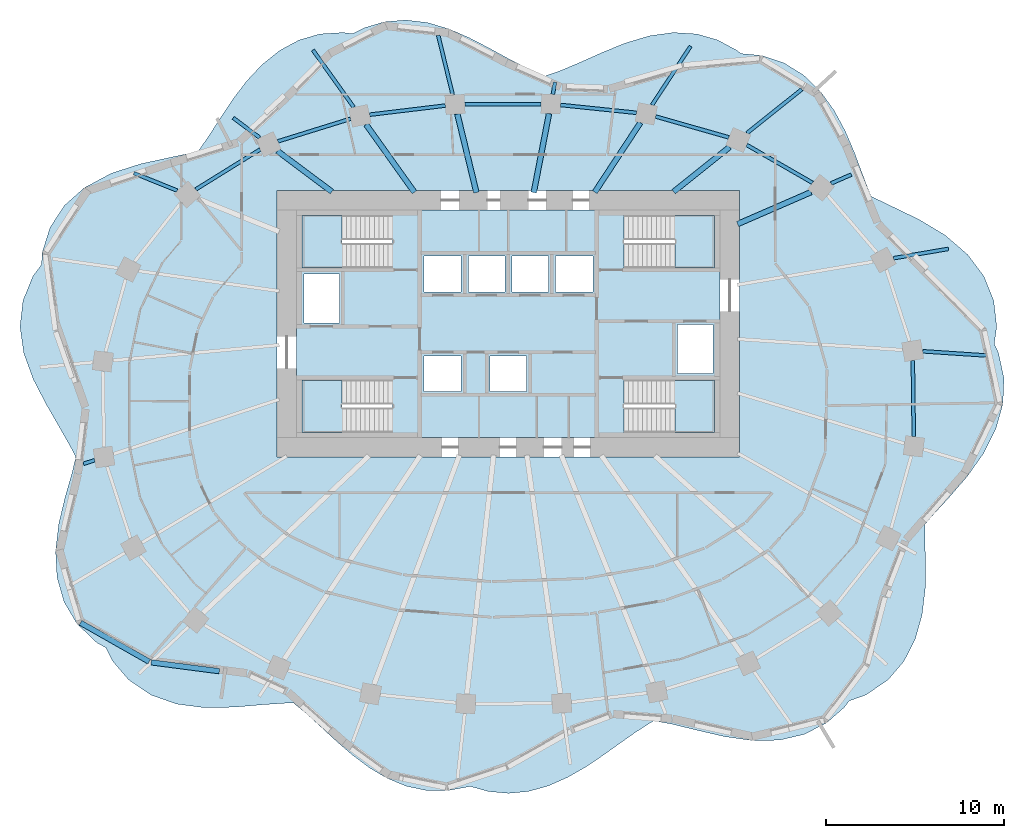
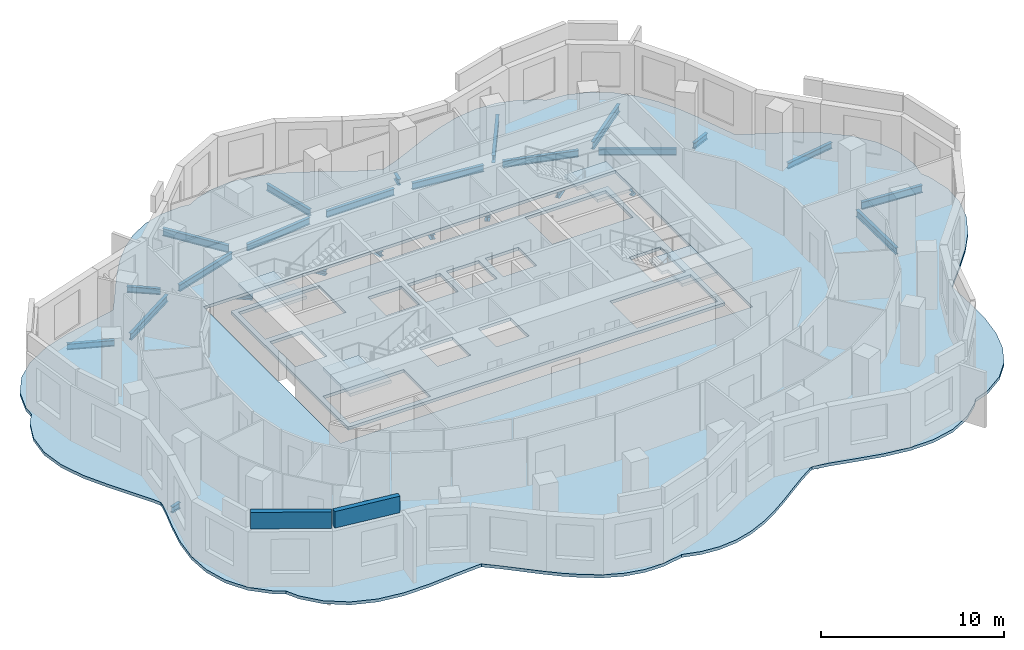
# One storey, part 2 of 10: 26 beams, 6 slabs, 2 walls, 4 elements without a shape of their own.
"""IFC4 building model written with IfcOpenShell, lengths in metres."""

from ifc_helpers import new_model, si_unit, direction, frame, frame_2d, origin, origin_2d, place, context, subcontext, project, spatial, polyline, rectangle, i_section, outline, extrude, material, layer, layer_set, material_profile, profile_set, type_object, element, aggregate, save


model = new_model("IFC4")

# Units and contexts
model_context = context("Model", 3, precision=1e-05, world=origin(), true_north=direction((0.0, 1.0)))
body_context = subcontext(model_context, "Body", "Model", "MODEL_VIEW")
ifc_project = project(units=[si_unit("LENGTHUNIT", "METRE"), si_unit("AREAUNIT", "SQUARE_METRE"), si_unit("VOLUMEUNIT", "CUBIC_METRE"), si_unit("PLANEANGLEUNIT", "RADIAN"), si_unit("MASSUNIT", "GRAM", prefix="KILO")], contexts=[model_context])

# Site, building, storey
site_placement = place(None, origin())
site = spatial("IfcSite", under=ifc_project, at=site_placement, CompositionType="ELEMENT")
building_placement = place(site_placement, origin())
building = spatial("IfcBuilding", under=site, at=building_placement, Name="Rubra Terraces Tower", CompositionType="ELEMENT")
storey_placement = place(building_placement, frame((0.0, 0.0, 161.699951171875)))
storey = spatial("IfcBuildingStorey", under=building, at=storey_placement, Name="L39", CompositionType="ELEMENT", Elevation=161.699951171875)

# Beams
ifc_material_1 = material(Name="Steel Q355B", Category="steel")
ifc_material_profile_1 = material_profile(ifc_material_1, i_section(OverallWidth=0.199951171875, OverallDepth=0.39990234375, WebThickness=0.008056640625, FlangeThickness=0.012939453125, at=origin_2d()), Name="HN 400x200x8x13")
ifc_profile_set_1 = profile_set([ifc_material_profile_1], Name="Steel Q355B")
beam_type_1 = type_object("IfcBeamType", Name="CANTILEVER BEAM HN 400x200x8x13", PredefinedType="BEAM", material=ifc_profile_set_1)
beam_1_placement = place(storey_placement, frame((21.656982421875, 8.18798828125, -0.39990234375), z_axis=(0.98579564876, 0.167949215201, 0.0), x_axis=(-0.167949215201, 0.98579564876, 0.0)))
element("IfcBeam", 1, at=beam_1_placement, inside=storey, type_object=beam_type_1, Name="beam-L39-cant-02", PredefinedType="BEAM", context=body_context, shape_type="SweptSolid", body=[
    extrude(i_section(OverallWidth=0.199951171875, OverallDepth=0.39990234375, WebThickness=0.008056640625, FlangeThickness=0.012939453125, at=origin_2d()), origin(), (0.0, 0.0, 1.0), 3.132568359375),
])
beam_2_placement = place(storey_placement, frame((-13.989013671875, 14.971923828125, -0.39990234375), z_axis=(-0.800601038067, 0.599197778573, 0.0), x_axis=(-0.599197778573, -0.800601038067, 0.0)))
element("IfcBeam", 2, at=beam_2_placement, inside=storey, type_object=beam_type_1, Name="beam-L39-cant-09", PredefinedType="BEAM", context=body_context, shape_type="SweptSolid", body=[
    extrude(i_section(OverallWidth=0.199951171875, OverallDepth=0.39990234375, WebThickness=0.008056640625, FlangeThickness=0.012939453125, at=origin_2d()), origin(), (0.0, 0.0, 1.0), 1.85107421875),
])
beam_3_placement = place(storey_placement, frame((-18.6201171875, 11.991943359375, -0.39990234375), z_axis=(-0.927756111686, 0.373187080737, 0.0), x_axis=(-0.373187080737, -0.927756111686, 0.0)))
element("IfcBeam", 3, at=beam_3_placement, inside=storey, type_object=beam_type_1, Name="beam-L39-cant-10", PredefinedType="BEAM", context=body_context, shape_type="SweptSolid", body=[
    extrude(i_section(OverallWidth=0.199951171875, OverallDepth=0.39990234375, WebThickness=0.008056640625, FlangeThickness=0.012939453125, at=origin_2d()), origin(), (0.0, 0.0, 1.0), 2.623291015625),
])
ifc_material_profile_2 = material_profile(ifc_material_1, i_section(OverallWidth=0.198974609375, OverallDepth=0.446044921875, WebThickness=0.008056640625, FlangeThickness=0.011962890625, at=origin_2d()), Name="HN 446x199x8x12")
ifc_profile_set_2 = profile_set([ifc_material_profile_2], Name="Steel Q355B")
beam_type_2 = type_object("IfcBeamType", Name="CANTILEVER BEAM HN 446x199x8x12", PredefinedType="BEAM", material=ifc_profile_set_2)
beam_4_placement = place(storey_placement, frame((-3.131103515625, 17.37890625, -0.4228515625), z_axis=(-0.236295379776, 0.971681271558, 0.0), x_axis=(-0.971681271558, -0.236295379776, 0.0)))
element("IfcBeam", 4, at=beam_4_placement, inside=storey, type_object=beam_type_2, Name="beam-L39-cant-07", PredefinedType="BEAM", context=body_context, shape_type="SweptSolid", body=[
    extrude(i_section(OverallWidth=0.198974609375, OverallDepth=0.446044921875, WebThickness=0.008056640625, FlangeThickness=0.011962890625, at=origin_2d()), origin(), (0.0, 0.0, 1.0), 3.4365234375),
])
ifc_material_profile_3 = material_profile(ifc_material_1, i_section(OverallWidth=0.198974609375, OverallDepth=0.49609375, WebThickness=0.009033203125, FlangeThickness=0.013916015625, at=origin_2d()), Name="HN 496x199x9x14")
ifc_profile_set_3 = profile_set([ifc_material_profile_3], Name="Steel Q355B")
beam_type_3 = type_object("IfcBeamType", Name="CANTILEVER BEAM HN 496x199x9x14", PredefinedType="BEAM", material=ifc_profile_set_3)
beam_5_placement = place(storey_placement, frame((23.298095703125, 2.9560546875, -0.447998046875), z_axis=(0.99779881822, -0.066313787088, 0.0), x_axis=(0.066313787088, 0.99779881822, 0.0)))
element("IfcBeam", 5, at=beam_5_placement, inside=storey, type_object=beam_type_3, Name="beam-L39-cant-01", PredefinedType="BEAM", context=body_context, shape_type="SweptSolid", body=[
    extrude(i_section(OverallWidth=0.198974609375, OverallDepth=0.49609375, WebThickness=0.009033203125, FlangeThickness=0.013916015625, at=origin_2d()), origin(), (0.0, 0.0, 1.0), 3.7109375),
])
beam_6_placement = place(storey_placement, frame((13.416015625, 15.222900390625, -0.447998046875), z_axis=(0.781103955528, 0.624401001487, 0.0), x_axis=(-0.624401001487, 0.781103955528, 0.0)))
element("IfcBeam", 6, at=beam_6_placement, inside=storey, type_object=beam_type_3, Name="beam-L39-cant-04", PredefinedType="BEAM", context=body_context, shape_type="SweptSolid", body=[
    extrude(i_section(OverallWidth=0.198974609375, OverallDepth=0.49609375, WebThickness=0.009033203125, FlangeThickness=0.013916015625, at=origin_2d()), origin(), (0.0, 0.0, 1.0), 3.949462890625),
])
for number, where, z_axis, x_axis, name in (
    (7, (8.076904296875, 16.803955078125, -0.447998046875), (0.548881869255, 0.835899930376, 0.0), (-0.835899930376, 0.548881869255, 0.0), "beam-L39-cant-05"),
    (8, (-8.695068359375, 16.679931640625, -0.447998046875), (-0.580975070834, 0.813921351895, 0.0), (-0.813921351895, -0.580975070834, 0.0), "beam-L39-cant-08"),
):
    element("IfcBeam", number, at=place(storey_placement, frame(where, z_axis=z_axis, x_axis=x_axis)), inside=storey, type_object=beam_type_3, Name=name, PredefinedType="BEAM", context=body_context, shape_type="SweptSolid", body=[
        extrude(i_section(OverallWidth=0.198974609375, OverallDepth=0.49609375, WebThickness=0.009033203125, FlangeThickness=0.013916015625, at=origin_2d()), origin(), (0.0, 0.0, 1.0), 3.9501953125),
    ])
ifc_material_profile_4 = material_profile(ifc_material_1, i_section(OverallWidth=0.199951171875, OverallDepth=0.39990234375, WebThickness=0.008056640625, FlangeThickness=0.012939453125, at=origin_2d()), Name="HN 400x200x8x13")
ifc_profile_set_4 = profile_set([ifc_material_profile_4], Name="Steel Q355B")
beam_type_4 = type_object("IfcBeamType", Name="CANTILEVER STUB HN 400x200x8x13", PredefinedType="BEAM", material=ifc_profile_set_4)
beam_7_placement = place(storey_placement, frame((18.14990234375, 12.39697265625, -0.39990234375), z_axis=(0.916859313089, 0.399210470806, 0.0), x_axis=(-0.399210470806, 0.916859313089, 0.0)))
element("IfcBeam", 9, at=beam_7_placement, inside=storey, type_object=beam_type_4, Name="beam-L39-cant-03", PredefinedType="BEAM", context=body_context, shape_type="SweptSolid", body=[
    extrude(i_section(OverallWidth=0.199951171875, OverallDepth=0.39990234375, WebThickness=0.008056640625, FlangeThickness=0.012939453125, at=origin_2d()), origin(), (0.0, 0.0, 1.0), 1.234619140625),
])
beam_8_placement = place(storey_placement, frame((2.498046875, 17.406982421875, -0.39990234375), z_axis=(0.188939599995, 0.981988710502, 0.0), x_axis=(-0.981988710502, 0.188939599995, 0.0)))
element("IfcBeam", 10, at=beam_8_placement, inside=storey, type_object=beam_type_4, Name="beam-L39-cant-06", PredefinedType="BEAM", context=body_context, shape_type="SweptSolid", body=[
    extrude(i_section(OverallWidth=0.199951171875, OverallDepth=0.39990234375, WebThickness=0.008056640625, FlangeThickness=0.012939453125, at=origin_2d()), origin(), (0.0, 0.0, 1.0), 0.6875),
])
beam_9_placement = place(storey_placement, frame((-23.262939453125, -3.1669921875, -0.39990234375), z_axis=(-0.949571143222, -0.313551660751, 0.0), x_axis=(0.313551660751, -0.949571143222, 0.0)))
element("IfcBeam", 11, at=beam_9_placement, inside=storey, type_object=beam_type_4, Name="beam-L39-cant-13", PredefinedType="BEAM", context=body_context, shape_type="SweptSolid", body=[
    extrude(i_section(OverallWidth=0.199951171875, OverallDepth=0.39990234375, WebThickness=0.008056640625, FlangeThickness=0.012939453125, at=origin_2d()), origin(), (0.0, 0.0, 1.0), 0.6572265625),
])
ifc_material_profile_5 = material_profile(ifc_material_1, i_section(OverallWidth=0.304931640625, OverallDepth=0.300048828125, WebThickness=0.014892578125, FlangeThickness=0.014892578125, at=origin_2d()), Name="HW 300x305x15x15")
ifc_profile_set_5 = profile_set([ifc_material_profile_5], Name="Steel Q355B")
beam_type_5 = type_object("IfcBeamType", Name="FLOOR BEAM HW 300x305x15x15", PredefinedType="BEAM", material=ifc_profile_set_5)
beam_10_placement = place(storey_placement, frame((17.01806640625, 11.905029296875, -0.349853515625), z_axis=(-0.916965704309, -0.398966035047, 0.0), x_axis=(0.398966035047, -0.916965704309, 0.0)))
element("IfcBeam", 12, at=beam_10_placement, inside=storey, type_object=beam_type_5, Name="beam-L39-floor-03", PredefinedType="BEAM", context=body_context, shape_type="SweptSolid", body=[
    extrude(i_section(OverallWidth=0.304931640625, OverallDepth=0.300048828125, WebThickness=0.014892578125, FlangeThickness=0.014892578125, at=origin_2d()), origin(), (0.0, 0.0, 1.0), 4.501953125),
])
beam_11_placement = place(storey_placement, frame((12.43798828125, 14.44091796875, -0.349853515625), z_axis=(-0.781170160898, -0.624318171867, 0.0), x_axis=(0.624318171867, -0.781170160898, 0.0)))
element("IfcBeam", 13, at=beam_11_placement, inside=storey, type_object=beam_type_5, Name="beam-L39-floor-04", PredefinedType="BEAM", context=body_context, shape_type="SweptSolid", body=[
    extrude(i_section(OverallWidth=0.304931640625, OverallDepth=0.300048828125, WebThickness=0.014892578125, FlangeThickness=0.014892578125, at=origin_2d()), origin(), (0.0, 0.0, 1.0), 4.02978515625),
])
beam_12_placement = place(storey_placement, frame((7.425048828125, 15.81005859375, -0.349853515625), z_axis=(-0.548820601732, -0.835940157616, 0.0), x_axis=(0.835940157616, -0.548820601732, 0.0)))
element("IfcBeam", 14, at=beam_12_placement, inside=storey, type_object=beam_type_5, Name="beam-L39-floor-05", PredefinedType="BEAM", context=body_context, shape_type="SweptSolid", body=[
    extrude(i_section(OverallWidth=0.304931640625, OverallDepth=0.300048828125, WebThickness=0.014892578125, FlangeThickness=0.014892578125, at=origin_2d()), origin(), (0.0, 0.0, 1.0), 4.677490234375),
])
beam_13_placement = place(storey_placement, frame((2.285888671875, 16.31689453125, -0.349853515625), z_axis=(-0.189927794489, -0.981798061151, 0.0), x_axis=(0.981798061151, -0.189927794489, 0.0)))
element("IfcBeam", 15, at=beam_13_placement, inside=storey, type_object=beam_type_5, Name="beam-L39-floor-06", PredefinedType="BEAM", context=body_context, shape_type="SweptSolid", body=[
    extrude(i_section(OverallWidth=0.304931640625, OverallDepth=0.300048828125, WebThickness=0.014892578125, FlangeThickness=0.014892578125, at=origin_2d()), origin(), (0.0, 0.0, 1.0), 4.51708984375),
])
beam_14_placement = place(storey_placement, frame((-2.866943359375, 16.29296875, -0.349853515625), z_axis=(0.236214306521, -0.971700983531, 0.0), x_axis=(0.971700983531, 0.236214306521, 0.0)))
element("IfcBeam", 16, at=beam_14_placement, inside=storey, type_object=beam_type_5, Name="beam-L39-floor-07", PredefinedType="BEAM", context=body_context, shape_type="SweptSolid", body=[
    extrude(i_section(OverallWidth=0.304931640625, OverallDepth=0.300048828125, WebThickness=0.014892578125, FlangeThickness=0.014892578125, at=origin_2d()), origin(), (0.0, 0.0, 1.0), 4.538330078125),
])
beam_15_placement = place(storey_placement, frame((-7.9990234375, 15.7041015625, -0.349853515625), z_axis=(0.581010755177, -0.813895879317, 0.0), x_axis=(0.813895879317, 0.581010755177, 0.0)))
element("IfcBeam", 17, at=beam_15_placement, inside=storey, type_object=beam_type_5, Name="beam-L39-floor-08", PredefinedType="BEAM", context=body_context, shape_type="SweptSolid", body=[
    extrude(i_section(OverallWidth=0.304931640625, OverallDepth=0.300048828125, WebThickness=0.014892578125, FlangeThickness=0.014892578125, at=origin_2d()), origin(), (0.0, 0.0, 1.0), 4.67138671875),
])
beam_16_placement = place(storey_placement, frame((-12.985107421875, 14.219970703125, -0.349853515625), z_axis=(0.800566460925, -0.599243975057, 0.0), x_axis=(0.599243975057, 0.800566460925, 0.0)))
element("IfcBeam", 18, at=beam_16_placement, inside=storey, type_object=beam_type_5, Name="beam-L39-floor-09", PredefinedType="BEAM", context=body_context, shape_type="SweptSolid", body=[
    extrude(i_section(OverallWidth=0.304931640625, OverallDepth=0.300048828125, WebThickness=0.014892578125, FlangeThickness=0.014892578125, at=origin_2d()), origin(), (0.0, 0.0, 1.0), 3.82470703125),
])
ifc_material_profile_6 = material_profile(ifc_material_1, i_section(OverallWidth=0.198974609375, OverallDepth=0.446044921875, WebThickness=0.008056640625, FlangeThickness=0.011962890625, at=origin_2d()), Name="HN 446x199x8x12")
ifc_profile_set_6 = profile_set([ifc_material_profile_6], Name="Steel Q355B")
beam_type_6 = type_object("IfcBeamType", Name="SPANDREL BEAM HN 446x199x8x12", PredefinedType="SPANDREL", material=ifc_profile_set_6)
beam_17_placement = place(storey_placement, frame((17.10009765625, 12.428955078125, -0.4228515625), z_axis=(-0.866560147027, 0.49907265161, 0.0), x_axis=(-0.49907265161, -0.866560147027, 0.0)))
element("IfcBeam", 19, at=beam_17_placement, inside=storey, type_object=beam_type_6, Name="beam-L39-spandrel-03", PredefinedType="SPANDREL", context=body_context, shape_type="SweptSolid", body=[
    extrude(i_section(OverallWidth=0.198974609375, OverallDepth=0.446044921875, WebThickness=0.008056640625, FlangeThickness=0.011962890625, at=origin_2d()), origin(), (0.0, 0.0, 1.0), 4.26171875),
])
beam_18_placement = place(storey_placement, frame((12.39404296875, 14.98388671875, -0.4228515625), z_axis=(-0.961693978406, 0.274125321518, 0.0), x_axis=(-0.274125321518, -0.961693978406, 0.0)))
element("IfcBeam", 20, at=beam_18_placement, inside=storey, type_object=beam_type_6, Name="beam-L39-spandrel-04", PredefinedType="SPANDREL", context=body_context, shape_type="SweptSolid", body=[
    extrude(i_section(OverallWidth=0.198974609375, OverallDepth=0.446044921875, WebThickness=0.008056640625, FlangeThickness=0.011962890625, at=origin_2d()), origin(), (0.0, 0.0, 1.0), 4.27587890625),
])
beam_19_placement = place(storey_placement, frame((7.201904296875, 16.364013671875, -0.4228515625), z_axis=(-0.994691190497, 0.102904983103, 0.0), x_axis=(-0.102904983103, -0.994691190497, 0.0)))
element("IfcBeam", 21, at=beam_19_placement, inside=storey, type_object=beam_type_6, Name="beam-L39-spandrel-05", PredefinedType="SPANDREL", context=body_context, shape_type="SweptSolid", body=[
    extrude(i_section(OverallWidth=0.198974609375, OverallDepth=0.446044921875, WebThickness=0.008056640625, FlangeThickness=0.011962890625, at=origin_2d()), origin(), (0.0, 0.0, 1.0), 4.28466796875),
])
beam_20_placement = place(storey_placement, frame((1.841064453125, 16.85888671875, -0.4228515625), z_axis=(-0.999989371096, -0.004610606731, 0.0), x_axis=(0.004610606731, -0.999989371096, 0.0)))
element("IfcBeam", 22, at=beam_20_placement, inside=storey, type_object=beam_type_6, Name="beam-L39-spandrel-06", PredefinedType="SPANDREL", context=body_context, shape_type="SweptSolid", body=[
    extrude(i_section(OverallWidth=0.198974609375, OverallDepth=0.446044921875, WebThickness=0.008056640625, FlangeThickness=0.011962890625, at=origin_2d()), origin(), (0.0, 0.0, 1.0), 4.2890625),
])
beam_21_placement = place(storey_placement, frame((-3.5458984375, 16.77001953125, -0.4228515625), z_axis=(-0.992833084949, -0.119509269223, 0.0), x_axis=(0.119509269223, -0.992833084949, 0.0)))
element("IfcBeam", 23, at=beam_21_placement, inside=storey, type_object=beam_type_6, Name="beam-L39-spandrel-07", PredefinedType="SPANDREL", context=body_context, shape_type="SweptSolid", body=[
    extrude(i_section(OverallWidth=0.198974609375, OverallDepth=0.446044921875, WebThickness=0.008056640625, FlangeThickness=0.011962890625, at=origin_2d()), origin(), (0.0, 0.0, 1.0), 4.283935546875),
])
beam_22_placement = place(storey_placement, frame((-8.8740234375, 16.028076171875, -0.4228515625), z_axis=(-0.955002801089, -0.296596780008, 0.0), x_axis=(0.296596780008, -0.955002801089, 0.0)))
element("IfcBeam", 24, at=beam_22_placement, inside=storey, type_object=beam_type_6, Name="beam-L39-spandrel-08", PredefinedType="SPANDREL", context=body_context, shape_type="SweptSolid", body=[
    extrude(i_section(OverallWidth=0.198974609375, OverallDepth=0.446044921875, WebThickness=0.008056640625, FlangeThickness=0.011962890625, at=origin_2d()), origin(), (0.0, 0.0, 1.0), 4.275390625),
])
beam_23_placement = place(storey_placement, frame((-13.9580078125, 14.303955078125, -0.4228515625), z_axis=(-0.849549830498, -0.527508374816, 0.0), x_axis=(0.527508374816, -0.849549830498, 0.0)))
element("IfcBeam", 25, at=beam_23_placement, inside=storey, type_object=beam_type_6, Name="beam-L39-spandrel-09", PredefinedType="SPANDREL", context=body_context, shape_type="SweptSolid", body=[
    extrude(i_section(OverallWidth=0.198974609375, OverallDepth=0.446044921875, WebThickness=0.008056640625, FlangeThickness=0.011962890625, at=origin_2d()), origin(), (0.0, 0.0, 1.0), 4.259765625),
])
beam_24_placement = place(storey_placement, frame((22.794921875, -1.8330078125, -0.4228515625), z_axis=(-0.012634783266, 0.99992017794, 0.0), x_axis=(-0.99992017794, -0.012634783266, 0.0)))
element("IfcBeam", 26, at=beam_24_placement, inside=storey, type_object=beam_type_6, Name="beam-L39-spandrel-24", PredefinedType="SPANDREL", context=body_context, shape_type="SweptSolid", body=[
    extrude(i_section(OverallWidth=0.198974609375, OverallDepth=0.446044921875, WebThickness=0.008056640625, FlangeThickness=0.011962890625, at=origin_2d()), origin(), (0.0, 0.0, 1.0), 4.270263671875),
])

# Slab
ifc_material_2 = material(Name="Concrete C40", Category="concrete")
ifc_layer_1 = layer(ifc_material_2, 0.199951171875)
ifc_layer_set_1 = layer_set([ifc_layer_1], Name="Concrete C40")
slab_type_1 = type_object("IfcSlabType", Name="Core floor slab 200 concrete", PredefinedType="FLOOR", material=ifc_layer_set_1)
slab_1_placement = place(storey_placement, frame((0.0, 0.0, -0.199951171875)))
element("IfcSlab", 27, at=slab_1_placement, inside=storey, type_object=slab_type_1, Name="CORE FLOOR SLAB L39", PredefinedType="FLOOR", context=body_context, shape_type="SweptSolid", body=[
    extrude(outline(polyline([(-11.89990234375, -1.89990234375), (-11.89990234375, 10.89990234375), (11.89990234375, 10.89990234375), (11.89990234375, -1.89990234375), (-11.89990234375, -1.89990234375)]), holes=[polyline([(11.597900390625, 1.347900390625), (6.501953125, 1.347900390625), (6.501953125, -1.597900390625), (11.597900390625, -1.597900390625), (11.597900390625, 1.347900390625)]), polyline([(11.597900390625, 7.652099609375), (11.597900390625, 10.597900390625), (6.501953125, 10.597900390625), (6.501953125, 7.652099609375), (11.597900390625, 7.652099609375)]), polyline([(9.5, 1.699951171875), (11.5, 1.699951171875), (11.5, 4.449951171875), (9.5, 4.449951171875), (9.5, 1.699951171875)]), polyline([(4.75, 6.300048828125), (4.75, 8.300048828125), (2.64990234375, 8.300048828125), (2.64990234375, 6.300048828125), (4.75, 6.300048828125)]), polyline([(2.25, 8.300048828125), (0.199951171875, 8.300048828125), (0.199951171875, 6.300048828125), (2.25, 6.300048828125), (2.25, 8.300048828125)]), polyline([(1.02490234375, 0.699951171875), (1.02490234375, 2.699951171875), (-1.02490234375, 2.699951171875), (-1.02490234375, 0.699951171875), (1.02490234375, 0.699951171875)]), polyline([(-0.199951171875, 6.300048828125), (-0.199951171875, 8.300048828125), (-2.25, 8.300048828125), (-2.25, 6.300048828125), (-0.199951171875, 6.300048828125)]), polyline([(-4.75, 8.300048828125), (-4.75, 6.300048828125), (-2.64990234375, 6.300048828125), (-2.64990234375, 8.300048828125), (-4.75, 8.300048828125)]), polyline([(-2.64990234375, 0.699951171875), (-2.64990234375, 2.699951171875), (-4.75, 2.699951171875), (-4.75, 0.699951171875), (-2.64990234375, 0.699951171875)]), polyline([(-11.597900390625, -1.597900390625), (-6.501953125, -1.597900390625), (-6.501953125, 1.347900390625), (-11.597900390625, 1.347900390625), (-11.597900390625, -1.597900390625)]), polyline([(-11.597900390625, 10.597900390625), (-11.597900390625, 7.652099609375), (-6.501953125, 7.652099609375), (-6.501953125, 10.597900390625), (-11.597900390625, 10.597900390625)]), polyline([(-9.5, 4.550048828125), (-9.5, 7.300048828125), (-11.5, 7.300048828125), (-11.5, 4.550048828125), (-9.5, 4.550048828125)])]), origin(), (0.0, 0.0, 1.0), 0.199951171875),
])

# Stair, slab
stair_type = type_object("IfcStairType", Name="Core stair 1400", PredefinedType="HALF_TURN_STAIR", material=ifc_material_2)
stair_1_placement = place(storey_placement, origin())
stair_1 = element("IfcStair", 28, at=stair_1_placement, inside=storey, type_object=stair_type, Name="L39 Exit stair S1", PredefinedType="HALF_TURN_STAIR")
ifc_layer_2 = layer(ifc_material_2, 0.199951171875)
ifc_layer_set_2 = layer_set([ifc_layer_2], Name="Concrete C40")
slab_type_2 = type_object("IfcSlabType", Name="Core stair landing 200", PredefinedType="LANDING", material=ifc_layer_set_2)
slab_2_placement = place(storey_placement, frame((0.0, 0.0, 1.75)))
slab_2 = element("IfcSlab", 29, at=slab_2_placement, type_object=slab_type_2, Name="S1 landing 1", PredefinedType="LANDING", context=body_context, shape_type="SweptSolid", body=[
    extrude(outline(polyline([(-8.97998046875, -0.199951171875), (-8.97998046875, -1.60009765625), (-9.360107421875, -1.60009765625), (-9.3798828125, -1.60009765625), (-11.60009765625, -1.60009765625), (-11.60009765625, 1.35009765625), (-9.3798828125, 1.35009765625), (-9.35791015625, 1.35009765625), (-9.35791015625, -0.050048828125), (-9.360107421875, -0.050048828125), (-9.360107421875, -0.199951171875), (-8.97998046875, -0.199951171875)])), origin(), (0.0, 0.0, 1.0), 0.199951171875),
])
aggregate(stair_1, [slab_2])

stair_2_placement = place(storey_placement, origin())
stair_2 = element("IfcStair", 30, at=stair_2_placement, inside=storey, type_object=stair_type, Name="L39 Exit stair S2", PredefinedType="HALF_TURN_STAIR")
slab_3_placement = place(storey_placement, frame((0.0, 0.0, 1.75)))
slab_3 = element("IfcSlab", 31, at=slab_3_placement, type_object=slab_type_2, Name="S2 landing 1", PredefinedType="LANDING", context=body_context, shape_type="SweptSolid", body=[
    extrude(outline(polyline([(-8.97998046875, 9.050048828125), (-8.97998046875, 7.64990234375), (-9.3798828125, 7.64990234375), (-11.60009765625, 7.64990234375), (-11.60009765625, 10.60009765625), (-9.3798828125, 10.60009765625), (-9.360107421875, 10.60009765625), (-9.35791015625, 10.60009765625), (-9.35791015625, 9.199951171875), (-9.360107421875, 9.199951171875), (-9.360107421875, 9.050048828125), (-8.97998046875, 9.050048828125)])), origin(), (0.0, 0.0, 1.0), 0.199951171875),
])
aggregate(stair_2, [slab_3])

stair_3_placement = place(storey_placement, origin())
stair_3 = element("IfcStair", 32, at=stair_3_placement, inside=storey, type_object=stair_type, Name="L39 Exit stair S3", PredefinedType="HALF_TURN_STAIR")
slab_4_placement = place(storey_placement, frame((0.0, 0.0, 1.75)))
slab_4 = element("IfcSlab", 33, at=slab_4_placement, type_object=slab_type_2, Name="S3 landing 1", PredefinedType="LANDING", context=body_context, shape_type="SweptSolid", body=[
    extrude(outline(polyline([(9.360107421875, 9.050048828125), (9.360107421875, 9.199951171875), (8.97998046875, 9.199951171875), (8.97998046875, 10.60009765625), (9.360107421875, 10.60009765625), (9.3798828125, 10.60009765625), (11.60009765625, 10.60009765625), (11.60009765625, 7.64990234375), (9.3798828125, 7.64990234375), (9.35791015625, 7.64990234375), (9.35791015625, 9.050048828125), (9.360107421875, 9.050048828125)])), origin(), (0.0, 0.0, 1.0), 0.199951171875),
])
aggregate(stair_3, [slab_4])

stair_4_placement = place(storey_placement, origin())
stair_4 = element("IfcStair", 34, at=stair_4_placement, inside=storey, type_object=stair_type, Name="L39 Exit stair S4", PredefinedType="HALF_TURN_STAIR")
slab_5_placement = place(storey_placement, frame((0.0, 0.0, 1.75)))
slab_5 = element("IfcSlab", 35, at=slab_5_placement, type_object=slab_type_2, Name="S4 landing 1", PredefinedType="LANDING", context=body_context, shape_type="SweptSolid", body=[
    extrude(outline(polyline([(9.360107421875, -0.199951171875), (9.360107421875, -0.050048828125), (8.97998046875, -0.050048828125), (8.97998046875, 1.35009765625), (9.360107421875, 1.35009765625), (9.3798828125, 1.35009765625), (11.60009765625, 1.35009765625), (11.60009765625, -1.60009765625), (9.3798828125, -1.60009765625), (9.360107421875, -1.60009765625), (9.35791015625, -1.60009765625), (9.35791015625, -0.199951171875), (9.360107421875, -0.199951171875)])), origin(), (0.0, 0.0, 1.0), 0.199951171875),
])
aggregate(stair_4, [slab_5])

# Slab
ifc_layer_3 = layer(ifc_material_2, 0.199951171875)
ifc_layer_set_3 = layer_set([ifc_layer_3], Name="Concrete C40")
slab_type_3 = type_object("IfcSlabType", Name="FLOOR SLAB 200 COMPOSITE", PredefinedType="FLOOR", material=ifc_layer_set_3)
slab_6_placement = place(storey_placement, frame((0.0, 0.0, -0.199951171875)))
element("IfcSlab", 36, at=slab_6_placement, inside=storey, type_object=slab_type_3, Name="FLOOR SLAB L39", PredefinedType="FLOOR", context=body_context, shape_type="SweptSolid", body=[
    extrude(outline(polyline([(5.281982421875, -19.79296875), (6.215087890625, -19.1279296875), (7.1201171875, -18.489013671875), (8.008056640625, -17.9189453125), (8.18798828125, -17.822998046875), (9.172119140625, -18.001953125), (10.64404296875, -18.361083984375), (12.18310546875, -18.716064453125), (13.757080078125, -18.93505859375), (15.242919921875, -18.908935546875), (16.65087890625, -18.5810546875), (17.919921875, -17.919921875), (18.89697265625, -17.056884765625), (19.1630859375, -16.699951171875), (20.10205078125, -16.368896484375), (21.35400390625, -15.513916015625), (22.241943359375, -14.47509765625), (22.87890625, -13.22998046875), (23.264892578125, -11.85400390625), (23.43994140625, -10.39111328125), (23.4599609375, -8.9580078125), (23.419921875, -7.610107421875), (23.422119140625, -6.783935546875), (23.74609375, -6.39208984375), (24.75390625, -5.2958984375), (25.800048828125, -4.0859375), (26.7099609375, -2.801025390625), (27.407958984375, -1.41796875), (27.806884765625, 0.0), (27.867919921875, 1.43408203125), (27.554931640625, 2.8779296875), (27.319091796875, 3.365966796875), (27.458984375, 4.34912109375), (27.291015625, 5.80810546875), (26.73388671875, 7.178955078125), (25.8291015625, 8.39208984375), (24.552001953125, 9.488037109375), (23.1201171875, 10.35205078125), (21.68408203125, 11.048095703125), (20.39306640625, 11.6689453125), (19.930908203125, 12.864013671875), (19.4560546875, 14.135986328125), (18.945068359375, 15.3349609375), (18.319091796875, 16.498046875), (17.555908203125, 17.555908203125), (16.589111328125, 18.493896484375), (15.471923828125, 19.18310546875), (14.23388671875, 19.592041015625), (13.0791015625, 19.695068359375), (12.85888671875, 19.8720703125), (11.76708984375, 20.4580078125), (10.596923828125, 20.799072265625), (9.279052734375, 20.881103515625), (7.93505859375, 20.694091796875), (6.593994140625, 20.29296875), (5.35302734375, 19.7919921875), (4.14404296875, 19.25), (2.969970703125, 18.75), (2.083984375, 18.44189453125), (1.93408203125, 18.491943359375), (0.97509765625, 18.9140625), (0.0, 19.4130859375), (-1.093017578125, 20.010986328125), (-2.205078125, 20.589111328125), (-3.339111328125, 21.0810546875), (-4.552978515625, 21.43994140625), (-5.77294921875, 21.5830078125), (-6.97900390625, 21.47900390625), (-8.0849609375, 21.14990234375), (-8.758056640625, 20.80810546875), (-9.279052734375, 20.881103515625), (-10.596923828125, 20.799072265625), (-11.76708984375, 20.4580078125), (-12.85888671875, 19.8720703125), (-13.85595703125, 19.071044921875), (-14.7041015625, 18.1640625), (-15.462890625, 17.169921875), (-16.14794921875, 16.14794921875), (-16.839111328125, 15.072998046875), (-17.431884765625, 14.214111328125), (-17.616943359375, 14.156005859375), (-19.06005859375, 13.847900390625), (-20.68408203125, 13.493896484375), (-22.326904296875, 12.964111328125), (-23.844970703125, 12.14990234375), (-24.9599609375, 11.156005859375), (-25.76708984375, 9.925048828125), (-26.2109375, 8.51611328125), (-26.248046875, 7.8310546875), (-26.73388671875, 7.178955078125), (-27.291015625, 5.80810546875), (-27.458984375, 4.34912109375), (-27.2451171875, 2.844970703125), (-26.718017578125, 1.386962890625), (-26.0, 0.0), (-25.22998046875, -1.337890625), (-24.51708984375, -2.596923828125), (-24.323974609375, -3.0048828125), (-24.534912109375, -3.885986328125), (-24.927001953125, -5.261962890625), (-25.278076171875, -6.735107421875), (-25.4599609375, -8.27294921875), (-25.3779296875, -9.7451171875), (-24.98291015625, -11.135986328125), (-24.260986328125, -12.362060546875), (-23.134033203125, -13.43896484375), (-22.631103515625, -13.714111328125), (-22.241943359375, -14.47509765625), (-21.35400390625, -15.513916015625), (-20.10205078125, -16.368896484375), (-18.64892578125, -16.881103515625), (-17.083984375, -17.083984375), (-15.388916015625, -17.052978515625), (-13.7490234375, -16.909912109375), (-12.212890625, -16.81005859375), (-12.090087890625, -16.81396484375), (-11.35302734375, -17.426025390625), (-10.52490234375, -18.180908203125), (-9.6669921875, -18.972900390625), (-8.77099609375, -19.748046875), (-7.826904296875, -20.4541015625), (-6.837890625, -21.0439453125), (-5.73291015625, -21.5), (-4.596923828125, -21.739990234375), (-3.445068359375, -21.751953125), (-2.281005859375, -21.5400390625), (-2.176025390625, -21.5029296875), (-1.113037109375, -21.7958984375), (0.0, -21.89990234375), (1.113037109375, -21.7958984375), (2.22705078125, -21.489013671875), (3.326904296875, -21.00390625), (4.319091796875, -20.43505859375), (5.281982421875, -19.79296875)]), holes=[polyline([(13.0, 12.0), (13.0, -3.0), (-13.0, -3.0), (-13.0, 12.0), (13.0, 12.0)])]), origin(), (0.0, 0.0, 1.0), 0.199951171875),
])

# Walls
ifc_material_3 = material(Name="Brick masonry red-brown", Category="masonry")
ifc_layer_4 = layer(ifc_material_3, 0.300048828125)
ifc_layer_set_4 = layer_set([ifc_layer_4], Name="Brick masonry red-brown")
wall_type = type_object("IfcWallType", Name="Brick parapet 300", PredefinedType="PARAPET", material=ifc_layer_set_4)
wall_1_placement = place(storey_placement, frame((-24.05517578125, -12.306396484375, 3.900146484375), z_axis=(0.0, 0.0, 1.0), x_axis=(0.86982311217, -0.493363713234, 0.0)))
element("IfcWall", 37, at=wall_1_placement, inside=storey, type_object=wall_type, Name="Parapet L39 bay 24", PredefinedType="PARAPET", context=body_context, shape_type="SweptSolid", body=[
    extrude(rectangle(XDim=4.437744140625, YDim=0.300048828125, at=frame_2d((2.21875, 0.0))), origin(), (0.0, 0.0, 1.0), 1.099853515625),
])
wall_2_placement = place(storey_placement, frame((-20.084716796875, -14.53271484375, 3.900146484375), z_axis=(0.0, 0.0, 1.0), x_axis=(0.991634533608, -0.129077309221, 0.0)))
element("IfcWall", 38, at=wall_2_placement, inside=storey, type_object=wall_type, Name="Parapet L39 bay 25", PredefinedType="PARAPET", context=body_context, shape_type="SweptSolid", body=[
    extrude(rectangle(XDim=3.865966796875, YDim=0.300048828125, at=frame_2d((1.93310546875, 0.0))), origin(), (0.0, 0.0, 1.0), 1.099853515625),
])

save(model, "model.ifc")
